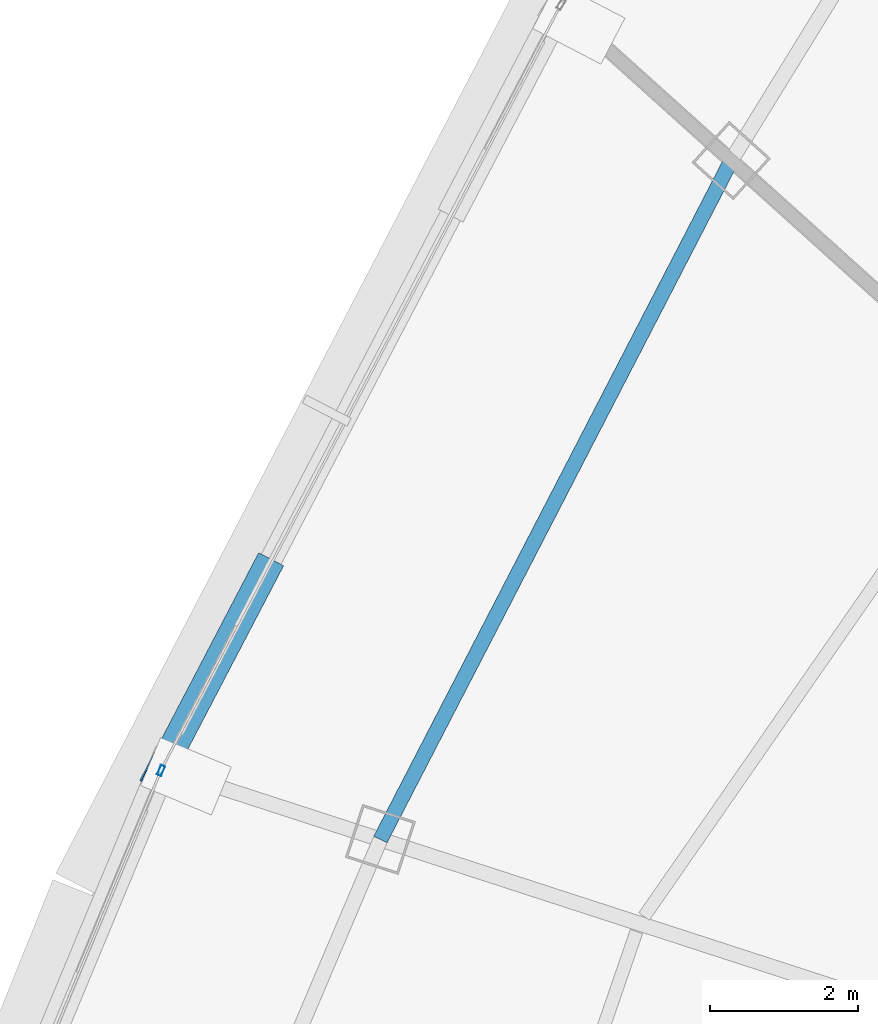
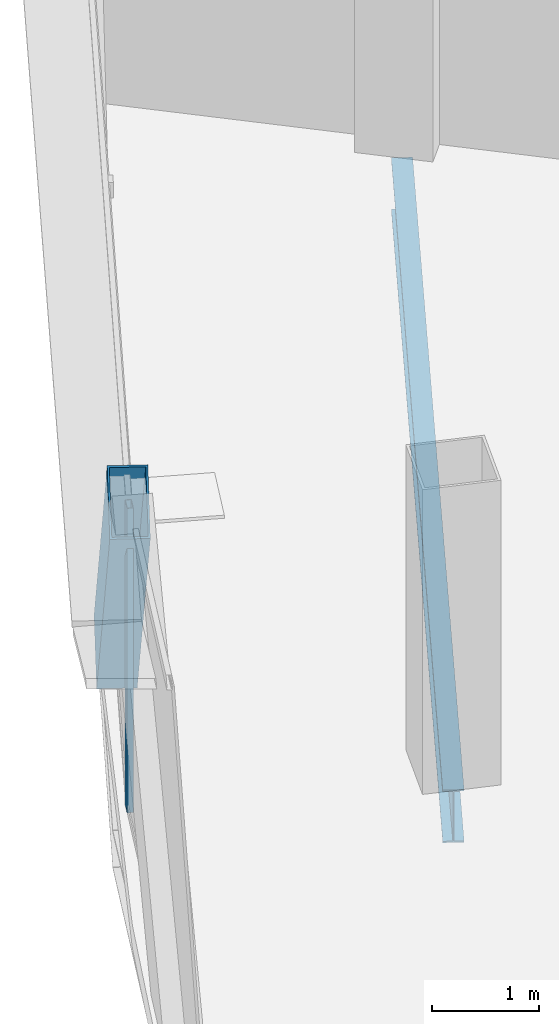
# One storey, part 9 of 39: 2 members, 1 beam, 1 element without a shape of its own.
"""IFC4 building model written with IfcOpenShell, lengths in metres."""

import ifcopenshell
import ifcopenshell.guid

model = None  # the IFC model being written
_history = None  # IfcOwnerHistory: only IFC2X3 demands one
_inside = {}  # id of a spatial element -> (the spatial element, [elements in it])
_under = {}  # id of a project, library or spatial element -> (it, [spatial elements below it])
_declared = {}  # id of a project -> (the project, [libraries it declares])
_typed = {}  # id of a type object -> (the type object, [elements of that type])
_made_of = {}  # id of a material, layer set ... -> (it, [elements and type objects made of it])


def new_model(schema):
    """Start an empty IFC model of exactly this schema.

    Asked for "IFC4X3", IfcOpenShell would pick the latest addendum, in which some entities
    have other attributes; the version numbers below select the first issue.
    IFC2X3 requires an IfcOwnerHistory on every rooted entity: one is made here for all.
    """
    global model, _history
    if schema == "IFC4X3":
        model = ifcopenshell.file(schema_version=(4, 3, 0, 0))
    else:
        model = ifcopenshell.file(schema=schema)
    _inside.clear()
    _under.clear()
    _declared.clear()
    _typed.clear()
    _made_of.clear()
    _history = None
    if model.schema == "IFC2X3":
        org = make("IfcOrganization", Name="unknown")
        user = make(
            "IfcPersonAndOrganization",
            ThePerson=make("IfcPerson", FamilyName="unknown"),
            TheOrganization=org,
        )
        app = make(
            "IfcApplication",
            ApplicationDeveloper=org,
            Version="unknown",
            ApplicationFullName="unknown",
            ApplicationIdentifier="unknown",
        )
        _history = make(
            "IfcOwnerHistory",
            OwningUser=user,
            OwningApplication=app,
            ChangeAction="ADDED",
            CreationDate=0,
        )
    return model


def make(cls, **values):
    """One entity of the class cls with the attributes given. An attribute that is None is left unset."""
    return model.create_entity(
        cls, **{name: value for name, value in values.items() if value is not None}
    )


def rooted(cls, **values):
    """An entity with a GlobalId (a new one), such as an element, a storey or a relation."""
    return make(cls, GlobalId=ifcopenshell.guid.new(), OwnerHistory=_history, **values)


def si_unit(unit_type, name, prefix=None):
    """IfcSIUnit, for example si_unit("LENGTHUNIT", "METRE", prefix="MILLI")."""
    return make("IfcSIUnit", UnitType=unit_type, Prefix=prefix, Name=name)


def assignment(units):
    """IfcUnitAssignment: the units of a project."""
    return None if units is None else make("IfcUnitAssignment", Units=units)


def point(xyz):
    """IfcCartesianPoint."""
    return None if xyz is None else make("IfcCartesianPoint", Coordinates=xyz)


def direction(xyz):
    """IfcDirection."""
    return None if xyz is None else make("IfcDirection", DirectionRatios=xyz)


def frame(location, z_axis=None, x_axis=None):
    """IfcAxis2Placement3D, a coordinate frame: its origin and axes. An axis left out is left unset."""
    return make(
        "IfcAxis2Placement3D",
        Location=point(location),
        Axis=direction(z_axis),
        RefDirection=direction(x_axis),
    )


def frame_2d(location, x_axis=None):
    """IfcAxis2Placement2D, a coordinate frame in the plane: its origin and x axis."""
    return make(
        "IfcAxis2Placement2D", Location=point(location), RefDirection=direction(x_axis)
    )


def origin():
    """The frame at (0, 0, 0) with its axes left unset."""
    return frame((0.0, 0.0, 0.0))


def origin_2d():
    """The frame at (0, 0) in the plane with its x axis left unset."""
    return frame_2d((0.0, 0.0))


def place(relative_to, where):
    """IfcLocalPlacement: puts the frame where relative to a parent placement (None: the world)."""
    return make(
        "IfcLocalPlacement", PlacementRelTo=relative_to, RelativePlacement=where
    )


def context(
    kind, dimensions, precision=None, world=None, true_north=None, identifier=None
):
    """IfcGeometricRepresentationContext, for example the 3D "Model" context."""
    return make(
        "IfcGeometricRepresentationContext",
        ContextIdentifier=identifier,
        ContextType=kind,
        CoordinateSpaceDimension=dimensions,
        Precision=precision,
        WorldCoordinateSystem=world,
        TrueNorth=true_north,
    )


def subcontext(parent, identifier, kind, view, scale=None):
    """IfcGeometricRepresentationSubContext, for example "Body" below "Model"."""
    return make(
        "IfcGeometricRepresentationSubContext",
        ContextIdentifier=identifier,
        ContextType=kind,
        ParentContext=parent,
        TargetScale=scale,
        TargetView=view,
    )


def project(units=None, contexts=None):
    """IfcProject with its units and contexts."""
    return rooted(
        "IfcProject",
        Name="project",
        RepresentationContexts=contexts,
        UnitsInContext=assignment(units),
    )


def spatial(cls, under=None, at=None, **own):
    """A site, building, storey or space (cls), placed at a placement, below another one or the project."""
    s = rooted(cls, ObjectPlacement=at, **own)
    if under is not None:
        _under.setdefault(under.id(), (under, []))[1].append(s)
    return s


def profile(cls, at=None, kind="AREA", **sizes):
    """A parametric profile (cls). Its sizes go by their IFC names, for example OverallWidth=200.0."""
    return make(cls, ProfileType=kind, Position=at, **sizes)


def hollow_rectangle(**sizes):
    """IfcRectangleHollowProfileDef."""
    return profile("IfcRectangleHollowProfileDef", **sizes)


def i_section(**sizes):
    """IfcIShapeProfileDef."""
    return profile("IfcIShapeProfileDef", **sizes)


def extrude(swept, where, along, depth):
    """IfcExtrudedAreaSolid: the profile swept, set in the frame where, extruded along a direction by depth."""
    return make(
        "IfcExtrudedAreaSolid",
        SweptArea=swept,
        Position=where,
        ExtrudedDirection=direction(along),
        Depth=depth,
    )


def shape(context_of_items, identifier, shape_type, items):
    """IfcShapeRepresentation: the items that make up one representation, for example the "Body"."""
    return make(
        "IfcShapeRepresentation",
        ContextOfItems=context_of_items,
        RepresentationIdentifier=identifier,
        RepresentationType=shape_type,
        Items=items,
    )


def source(mapping_origin, context_of_items, identifier, shape_type, items):
    """IfcRepresentationMap: a shape defined once, which mapped items show again and again."""
    return make(
        "IfcRepresentationMap",
        MappingOrigin=mapping_origin,
        MappedRepresentation=shape(context_of_items, identifier, shape_type, items),
    )


def transform(
    local_origin,
    x_axis=None,
    y_axis=None,
    z_axis=None,
    scale=None,
    scale2=None,
    scale3=None,
    uniform=True,
):
    """IfcCartesianTransformationOperator3D, or its non-uniform kind. x_axis, y_axis, z_axis: its Axis1, 2, 3."""
    if uniform:
        return make(
            "IfcCartesianTransformationOperator3D",
            Axis1=direction(x_axis),
            Axis2=direction(y_axis),
            LocalOrigin=point(local_origin),
            Scale=scale,
            Axis3=direction(z_axis),
        )
    return make(
        "IfcCartesianTransformationOperator3DnonUniform",
        Axis1=direction(x_axis),
        Axis2=direction(y_axis),
        LocalOrigin=point(local_origin),
        Scale=scale,
        Axis3=direction(z_axis),
        Scale2=scale2,
        Scale3=scale3,
    )


def mapped(mapping_source, mapping_target):
    """IfcMappedItem: shows the shape of a source again, moved by a transform."""
    return make(
        "IfcMappedItem", MappingSource=mapping_source, MappingTarget=mapping_target
    )


def material(Name=None, Category=None):
    """IfcMaterial."""
    return make("IfcMaterial", Name=Name, Category=Category)


def layer(
    of_material, thickness, ventilated=None, Name=None, Category=None, Priority=None
):
    """IfcMaterialLayer: one layer of a wall or slab, of a material (None: an air gap)."""
    return make(
        "IfcMaterialLayer",
        Material=of_material,
        LayerThickness=thickness,
        IsVentilated=ventilated,
        Name=Name,
        Category=Category,
        Priority=Priority,
    )


def layer_set(layers, Name=None):
    """IfcMaterialLayerSet."""
    return make("IfcMaterialLayerSet", MaterialLayers=layers, LayerSetName=Name)


def material_profile(
    of_material, cross_section, Name=None, Category=None, Priority=None
):
    """IfcMaterialProfile: a cross section and its material."""
    return make(
        "IfcMaterialProfile",
        Name=Name,
        Material=of_material,
        Profile=cross_section,
        Priority=Priority,
        Category=Category,
    )


def profile_set(profiles, Name=None, composite=None):
    """IfcMaterialProfileSet."""
    return make(
        "IfcMaterialProfileSet",
        Name=Name,
        MaterialProfiles=profiles,
        CompositeProfile=composite,
    )


def made_of(thing, what):
    """Note that an element or type object is made of a material, layer set ...; save() writes the relation."""
    if what is not None:
        _made_of.setdefault(what.id(), (what, []))[1].append(thing)
    return thing


def type_object(cls, material=None, **own):
    """A type object (cls), such as IfcWallType, which elements share."""
    return made_of(rooted(cls, **own), material)


def element(
    cls,
    number,
    at=None,
    inside=None,
    cuts=None,
    type_object=None,
    material=None,
    context=None,
    identifier="Body",
    shape_type=None,
    held_by="IfcProductDefinitionShape",
    body=None,
    shapes=None,
    **own,
):
    """One element of the class cls, such as IfcWall. Its Tag is "e" and its number.

    at: its placement. inside: the storey or other place that contains it. cuts: it is an
    opening in that element (IfcRelVoidsElement). A single representation is given by context,
    identifier, shape_type and body (its items); several are given by shapes. held_by: the class
    of the entity that holds the representations. save() writes the other relations.
    """
    e = rooted(cls, Tag="e%d" % number, ObjectPlacement=at, **own)
    if body is not None:
        shapes = [shape(context, identifier, shape_type, body)]
    if shapes is not None:
        e.Representation = make(held_by, Representations=shapes)
    if inside is not None:
        _inside.setdefault(inside.id(), (inside, []))[1].append(e)
    if cuts is not None:
        rooted(
            "IfcRelVoidsElement", RelatingBuildingElement=cuts, RelatedOpeningElement=e
        )
    if type_object is not None:
        _typed.setdefault(type_object.id(), (type_object, []))[1].append(e)
    return made_of(e, material)


def aggregate(whole, parts):
    """IfcRelAggregates: a whole, such as a stair, and the parts it consists of."""
    return rooted("IfcRelAggregates", RelatingObject=whole, RelatedObjects=parts)


def save(model, path):
    """Write the relations noted so far, then the file.

    IfcRelAggregates (storeys below a building ...), IfcRelContainedInSpatialStructure (elements
    in a storey), IfcRelDefinesByType, IfcRelAssociatesMaterial and IfcRelDeclares: one each for
    every whole, place, type object, material and project.
    """
    for whole, parts in _under.values():
        aggregate(whole, parts)
    for where, things in _inside.values():
        rooted(
            "IfcRelContainedInSpatialStructure",
            RelatedElements=things,
            RelatingStructure=where,
        )
    for kind, things in _typed.values():
        rooted("IfcRelDefinesByType", RelatedObjects=things, RelatingType=kind)
    for what, things in _made_of.values():
        rooted("IfcRelAssociatesMaterial", RelatedObjects=things, RelatingMaterial=what)
    for by, libraries in _declared.values():
        rooted("IfcRelDeclares", RelatingContext=by, RelatedDefinitions=libraries)
    model.write(path)


model = new_model("IFC4")

# Units and contexts
model_context = context("Model", 3, precision=1e-05, world=origin(), true_north=direction((0.0, 1.0)))
body_context = subcontext(model_context, "Body", "Model", "MODEL_VIEW")
ifc_project = project(units=[si_unit("LENGTHUNIT", "METRE"), si_unit("AREAUNIT", "SQUARE_METRE"), si_unit("VOLUMEUNIT", "CUBIC_METRE"), si_unit("PLANEANGLEUNIT", "RADIAN"), si_unit("MASSUNIT", "GRAM", prefix="KILO"), si_unit("THERMODYNAMICTEMPERATUREUNIT", "KELVIN"), si_unit("POWERUNIT", "WATT")], contexts=[model_context])

# Site, building, storey
site_placement = place(None, origin())
site = spatial("IfcSite", under=ifc_project, at=site_placement, CompositionType="ELEMENT")
building_placement = place(site_placement, origin())
building = spatial("IfcBuilding", under=site, at=building_placement, Name="Yunzhuo Pagoda Commons", CompositionType="ELEMENT")
storey_placement = place(building_placement, frame((0.0, 0.0, 285.02001953125)))
storey = spatial("IfcBuildingStorey", under=building, at=storey_placement, Name="L71", CompositionType="ELEMENT", Elevation=285.02001953125)

# Beam
ifc_material_1 = material(Name="Structural steel Q355B", Category="steel")
ifc_material_profile_1 = material_profile(ifc_material_1, i_section(OverallWidth=0.199951171875, OverallDepth=0.60009765625, WebThickness=0.010986328125, FlangeThickness=0.01708984375, at=origin_2d()), Name="Structural steel Q355B")
ifc_profile_set_1 = profile_set([ifc_material_profile_1], Name="Structural steel Q355B")
beam_type = type_object("IfcBeamType", Name="B-RG3 Beam HN 600x200x11x17", PredefinedType="BEAM", material=ifc_profile_set_1)
shared_shape_1 = source(origin(), body_context, "Body", "SweptSolid", [
    extrude(i_section(OverallWidth=0.199951171875, OverallDepth=0.60009765625, WebThickness=0.010986328125, FlangeThickness=0.01708984375, at=origin_2d()), origin(), (0.0, 0.0, 1.0), 10.3017578125),
])
beam_placement = place(storey_placement, frame((29.4267578125, 50.423583984375, -0.56005859375), z_axis=(-0.459070867827, -0.888399650108, 0.0), x_axis=(0.888399650108, -0.459070867827, 0.0)))
element("IfcBeam", 1, at=beam_placement, inside=storey, type_object=beam_type, Name="L71 column-ring beam 10", PredefinedType="BEAM", context=body_context, shape_type="MappedRepresentation", body=[
    mapped(shared_shape_1, transform((0.0, 0.0, 0.0), scale=1.0)),
])

# Member
ifc_material_profile_2 = material_profile(ifc_material_1, hollow_rectangle(XDim=0.3798828125, YDim=0.719970703125, WallThickness=0.02001953125, at=origin_2d()), Name="Structural steel Q355B")
ifc_profile_set_2 = profile_set([ifc_material_profile_2], Name="Structural steel Q355B")
member_type_1 = type_object("IfcMemberType", Name="M-DL3 Brace BOX 720x380x20", PredefinedType="BRACE", material=ifc_profile_set_2)
shared_shape_2 = source(origin(), body_context, "Body", "SweptSolid", [
    extrude(hollow_rectangle(XDim=0.3798828125, YDim=0.719970703125, WallThickness=0.02001953125, at=origin_2d()), origin(), (0.0, 0.0, 1.0), 4.723388671875),
])
member_1_placement = place(storey_placement, frame((23.093017578125, 44.797119140625, -0.260009765625), z_axis=(-0.283976852439, -0.543815155536, 0.78969755216), x_axis=(0.886419539705, -0.462882706125, 0.0)))
element("IfcMember", 2, at=member_1_placement, inside=storey, type_object=member_type_1, Name="L71 facade diamond brace F3.2R", PredefinedType="BRACE", context=body_context, shape_type="MappedRepresentation", body=[
    mapped(shared_shape_2, transform((0.0, 0.0, 0.0), scale=1.0)),
])

# Curtain wall, member
ifc_material_2 = material(Name="Anodized aluminium 6063-T6", Category="aluminium")
ifc_layer = layer(ifc_material_2, 0.139892578125)
ifc_layer_set = layer_set([ifc_layer], Name="Anodized aluminium 6063-T6")
curtain_wall_type = type_object("IfcCurtainWallType", Name="CW-HI High-Zone Ribbon Curtain Wall", PredefinedType="NOTDEFINED", material=ifc_layer_set)
curtain_wall_placement = place(storey_placement, origin())
curtain_wall = element("IfcCurtainWall", 3, at=curtain_wall_placement, inside=storey, type_object=curtain_wall_type, Name="L71 curtain wall CW-L71-F3B4", PredefinedType="NOTDEFINED")
ifc_material_profile_3 = material_profile(ifc_material_2, hollow_rectangle(XDim=0.06005859375, YDim=0.139892578125, WallThickness=0.00341796875, at=origin_2d()), Name="Anodized aluminium 6063-T6")
ifc_profile_set_3 = profile_set([ifc_material_profile_3], Name="Anodized aluminium 6063-T6")
member_type_2 = type_object("IfcMemberType", Name="CW-HI-M Mullion RHS 140x60x3.5", PredefinedType="MULLION", material=ifc_profile_set_3)
shared_shape_3 = source(origin(), body_context, "Body", "SweptSolid", [
    extrude(hollow_rectangle(XDim=0.06005859375, YDim=0.139892578125, WallThickness=0.00341796875, at=origin_2d()), origin(), (0.0, 0.0, 1.0), 3.4697265625),
])
member_2_placement = place(storey_placement, frame((21.740234375, 42.200927734375, 0.000244140625), z_axis=(0.0, 0.0, 1.0), x_axis=(0.923393531316, -0.383854642182, 0.0)))
member_2 = element("IfcMember", 4, at=member_2_placement, type_object=member_type_2, Name="CW mullion 1", PredefinedType="MULLION", context=body_context, shape_type="MappedRepresentation", body=[
    mapped(shared_shape_3, transform((0.0, 0.0, 0.0), scale=1.0)),
])
aggregate(curtain_wall, [member_2])

save(model, "model.ifc")
